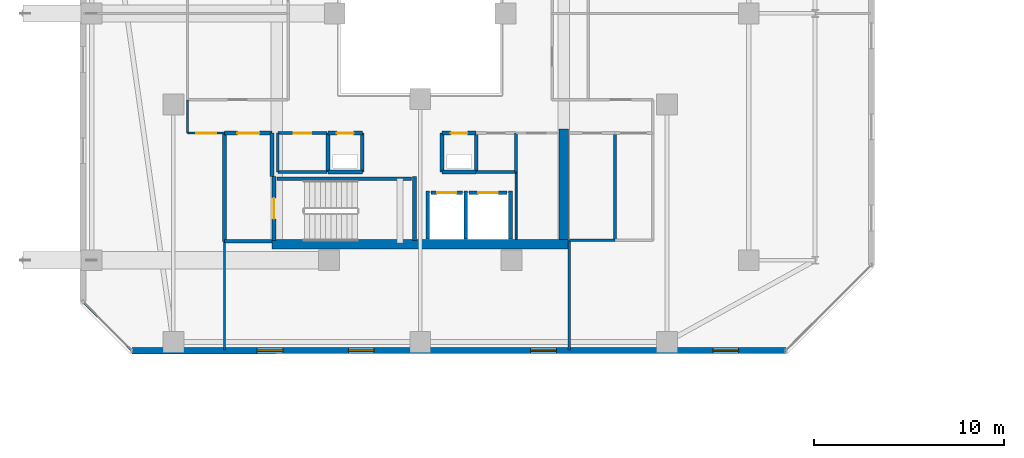
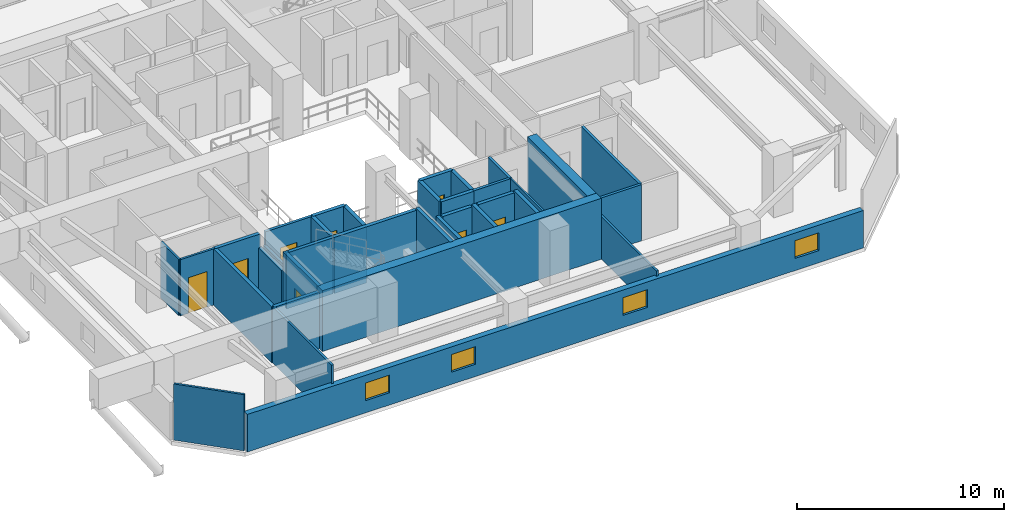
# One storey, part 22 of 36: 36 walls, 8 doors, 4 windows, 12 openings.
"""IFC4 building model written with IfcOpenShell, lengths in metres."""

from ifc_helpers import new_model, si_unit, direction, frame, frame_2d, origin, place, context, subcontext, project, spatial, rectangle, extrude, material, layer, layer_set, type_object, element, fill, save


model = new_model("IFC4")

# Units and contexts
model_context = context("Model", 3, precision=1e-05, world=origin(), true_north=direction((0.0, 1.0)))
body_context = subcontext(model_context, "Body", "Model", "MODEL_VIEW")
ifc_project = project(units=[si_unit("LENGTHUNIT", "METRE"), si_unit("AREAUNIT", "SQUARE_METRE"), si_unit("VOLUMEUNIT", "CUBIC_METRE"), si_unit("PLANEANGLEUNIT", "RADIAN"), si_unit("MASSUNIT", "GRAM", prefix="KILO")], contexts=[model_context])

# Site, building, storey
site_placement = place(None, origin())
site = spatial("IfcSite", under=ifc_project, at=site_placement, CompositionType="ELEMENT")
building_placement = place(site_placement, origin())
building = spatial("IfcBuilding", under=site, at=building_placement, Name="Thornwick Lancets Civic Towers", CompositionType="ELEMENT")
storey_placement = place(building_placement, frame((0.0, 0.0, 196.5)))
storey = spatial("IfcBuildingStorey", under=building, at=storey_placement, Name="L52", CompositionType="ELEMENT", Elevation=196.5)

# Wall, opening, door
ifc_material_1 = material(Name="Concrete blockwork C40/50", Category="masonry")
ifc_layer_1 = layer(ifc_material_1, 0.199951171875, Name="Concrete blockwork C40/50")
ifc_layer_set_1 = layer_set([ifc_layer_1], Name="Concrete blockwork C40/50")
wall_type_1 = type_object("IfcWallType", Name="WALL_COMP_200", PredefinedType="STANDARD", material=ifc_layer_set_1)
wall_1_placement = place(storey_placement, frame((26.080078125, 17.550048828125, 0.0), z_axis=(0.0, 0.0, 1.0), x_axis=(1.0, 0.0, 0.0)))
wall_1 = element("IfcWall", 1, at=wall_1_placement, inside=storey, type_object=wall_type_1, Name="L52 Hoistway Front Wall FL-A1", PredefinedType="STANDARD", context=body_context, shape_type="SweptSolid", body=[
    extrude(rectangle(XDim=1.639892578125, YDim=0.199951171875, at=frame_2d((0.81982421875, 0.0))), origin(), (0.0, 0.0, 1.0), 3.320068359375),
])
opening_1_placement = place(wall_1_placement, frame((0.31005859375, 0.0, 0.0)))
opening_1 = element("IfcOpeningElement", 2, at=opening_1_placement, cuts=wall_1, Name="Opening LD-FL-A1", PredefinedType="OPENING", context=body_context, shape_type="SweptSolid", body=[
    extrude(rectangle(XDim=1.02001953125, YDim=2.06005859375, at=frame_2d((0.510009765625, 1.030029296875))), frame((0.0, 0.10986328125, 0.0), z_axis=(0.0, -1.0, 0.0), x_axis=(1.0, 0.0, 0.0)), (0.0, 0.0, 1.0), 0.219970703125),
])
ifc_material_2 = material(Name="Brushed bronze stainless steel", Category="steel")
door_type_1 = type_object("IfcDoorType", Name="DOOR_LIFT_SLIDE", OperationType="SLIDING_TO_LEFT", PredefinedType="DOOR", material=ifc_material_2)
door_1_placement = place(opening_1_placement, origin())
door_1 = element("IfcDoor", 3, at=door_1_placement, inside=storey, type_object=door_type_1, Name="L52 Sliding Lift Landing Door LD-FL-A1", OperationType="SLIDING_TO_LEFT", OverallHeight=2.06005859375, OverallWidth=1.02001953125, PredefinedType="DOOR", context=body_context, shape_type="SweptSolid", body=[
    extrude(rectangle(XDim=1.02001953125, YDim=2.06005859375, at=frame_2d((0.510009765625, 1.030029296875))), frame((0.0, 0.02490234375, 0.0), z_axis=(0.0, -1.0, 0.0), x_axis=(1.0, 0.0, 0.0)), (0.0, 0.0, 1.0), 0.050048828125),
])
fill(opening_1, door_1)

wall_2_placement = place(storey_placement, frame((28.080078125, 17.550048828125, 0.0), z_axis=(0.0, 0.0, 1.0), x_axis=(1.0, 0.0, 0.0)))
wall_2 = element("IfcWall", 4, at=wall_2_placement, inside=storey, type_object=wall_type_1, Name="L52 Hoistway Front Wall PL-AH1", PredefinedType="STANDARD", context=body_context, shape_type="SweptSolid", body=[
    extrude(rectangle(XDim=1.989990234375, YDim=0.199951171875, at=frame_2d((0.9951171875, 0.0))), origin(), (0.0, 0.0, 1.0), 3.320068359375),
])
opening_2_placement = place(wall_2_placement, frame((0.485107421875, 0.0, 0.0)))
opening_2 = element("IfcOpeningElement", 5, at=opening_2_placement, cuts=wall_2, Name="Opening LD-PL-AH1", PredefinedType="OPENING", context=body_context, shape_type="SweptSolid", body=[
    extrude(rectangle(XDim=1.02001953125, YDim=2.06005859375, at=frame_2d((0.510009765625, 1.030029296875))), frame((0.0, 0.10986328125, 0.0), z_axis=(0.0, -1.0, 0.0), x_axis=(1.0, 0.0, 0.0)), (0.0, 0.0, 1.0), 0.219970703125),
])
door_2_placement = place(opening_2_placement, origin())
door_2 = element("IfcDoor", 6, at=door_2_placement, inside=storey, type_object=door_type_1, Name="L52 Sliding Lift Landing Door LD-PL-AH1", OperationType="SLIDING_TO_LEFT", OverallHeight=2.06005859375, OverallWidth=1.02001953125, PredefinedType="DOOR", context=body_context, shape_type="SweptSolid", body=[
    extrude(rectangle(XDim=1.02001953125, YDim=2.06005859375, at=frame_2d((0.510009765625, 1.030029296875))), frame((0.0, 0.02490234375, 0.0), z_axis=(0.0, -1.0, 0.0), x_axis=(1.0, 0.0, 0.0)), (0.0, 0.0, 1.0), 0.050048828125),
])
fill(opening_2, door_2)

# Walls
for number, where, z_axis, x_axis, name in (
    (7, (27.89990234375, 15.112060546875, 0.0), (0.0, 0.0, 1.0), (0.0, 1.0, 0.0), "L52 Hoistway Shaft Wall FL-A1 E"),
    (8, (25.89990234375, 15.112060546875, 0.0), (0.0, 0.0, 1.0), (0.0, 1.0, 0.0), "L52 Hoistway Shaft Wall FL-A1 W"),
    (9, (30.25, 15.112060546875, 0.0), (0.0, 0.0, 1.0), (0.0, 1.0, 0.0), "L52 Hoistway Shaft Wall PL-AH1 E"),
):
    element("IfcWall", number, at=place(storey_placement, frame(where, z_axis=z_axis, x_axis=x_axis)), inside=storey, type_object=wall_type_1, Name=name, PredefinedType="STANDARD", context=body_context, shape_type="SweptSolid", body=[
        extrude(rectangle(XDim=2.535888671875, YDim=0.199951171875, at=frame_2d((1.26806640625, 0.0))), origin(), (0.0, 0.0, 1.0), 3.320068359375),
    ])
wall_3_placement = place(storey_placement, frame((15.199951171875, 15.0, 0.0), z_axis=(0.0, 0.0, 1.0), x_axis=(1.0, 0.0, 0.0)))
element("IfcWall", 10, at=wall_3_placement, inside=storey, type_object=wall_type_1, Name="L52 Partition L52-A-FFLOB1 E1", PredefinedType="STANDARD", context=body_context, shape_type="SweptSolid", body=[
    extrude(rectangle(XDim=2.5, YDim=0.199951171875, at=frame_2d((1.25, 0.0))), origin(), (0.0, 0.0, 1.0), 3.320068359375),
])
wall_4_placement = place(storey_placement, frame((17.699951171875, 18.39990234375, 0.0), z_axis=(0.0, 0.0, 1.0), x_axis=(0.0, 1.0, 0.0)))
element("IfcWall", 11, at=wall_4_placement, inside=storey, type_object=wall_type_1, Name="L52 Partition L52-A-FFLOB1 E2", PredefinedType="STANDARD", context=body_context, shape_type="SweptSolid", body=[
    extrude(rectangle(XDim=2.300048828125, YDim=0.199951171875, at=frame_2d((1.14990234375, 0.0))), origin(), (0.0, 0.0, 1.0), 2.52490234375),
])

# Wall, opening, door
wall_5_placement = place(storey_placement, frame((17.699951171875, 20.699951171875, 0.0), z_axis=(0.0, 0.0, 1.0), x_axis=(-1.0, 0.0, 0.0)))
wall_5 = element("IfcWall", 12, at=wall_5_placement, inside=storey, type_object=wall_type_1, Name="L52 Partition L52-A-FFLOB1 E3", PredefinedType="STANDARD", context=body_context, shape_type="SweptSolid", body=[
    extrude(rectangle(XDim=2.5, YDim=0.199951171875, at=frame_2d((1.25, 0.0))), origin(), (0.0, 0.0, 1.0), 3.320068359375),
])
opening_3_placement = place(wall_5_placement, frame((0.675048828125, 0.0, 0.0)))
opening_3 = element("IfcOpeningElement", 13, at=opening_3_placement, cuts=wall_5, Name="Opening D-L52-2299", PredefinedType="OPENING", context=body_context, shape_type="SweptSolid", body=[
    extrude(rectangle(XDim=1.14990234375, YDim=2.10009765625, at=frame_2d((0.574951171875, 1.050048828125))), frame((0.0, 0.10986328125, 0.0), z_axis=(0.0, -1.0, 0.0), x_axis=(1.0, 0.0, 0.0)), (0.0, 0.0, 1.0), 0.219970703125),
])
ifc_material_3 = material(Name="Glazed fire-resisting steel", Category="steel")
door_type_2 = type_object("IfcDoorType", Name="DOOR_LOBBY_FD60", OperationType="NOTDEFINED", PredefinedType="DOOR", material=ifc_material_3)
door_3_placement = place(opening_3_placement, origin())
door_3 = element("IfcDoor", 14, at=door_3_placement, inside=storey, type_object=door_type_2, Name="L52 South Firefighting Lobby 1 Door", OperationType="SINGLE_SWING_RIGHT", OverallHeight=2.10009765625, OverallWidth=1.14990234375, PredefinedType="DOOR", context=body_context, shape_type="SweptSolid", body=[
    extrude(rectangle(XDim=1.14990234375, YDim=2.10009765625, at=frame_2d((0.574951171875, 1.050048828125))), frame((0.0, 0.02490234375, 0.0), z_axis=(0.0, -1.0, 0.0), x_axis=(1.0, 0.0, 0.0)), (0.0, 0.0, 1.0), 0.050048828125),
])
fill(opening_3, door_3)

# Walls
wall_6_placement = place(storey_placement, frame((15.199951171875, 20.699951171875, 0.0), z_axis=(0.0, 0.0, 1.0), x_axis=(0.0, -1.0, 0.0)))
element("IfcWall", 15, at=wall_6_placement, inside=storey, type_object=wall_type_1, Name="L52 Partition L52-A-FFLOB1 E4", PredefinedType="STANDARD", context=body_context, shape_type="SweptSolid", body=[
    extrude(rectangle(XDim=5.699951171875, YDim=0.199951171875, at=frame_2d((2.85009765625, 0.0))), origin(), (0.0, 0.0, 1.0), 3.320068359375),
])
wall_7_placement = place(storey_placement, frame((26.64990234375, 18.64990234375, 0.0), z_axis=(0.0, 0.0, 1.0), x_axis=(1.0, 0.0, 0.0)))
element("IfcWall", 16, at=wall_7_placement, inside=storey, type_object=wall_type_1, Name="L52 Partition L52-A-DUCT1 E1", PredefinedType="STANDARD", context=body_context, shape_type="SweptSolid", body=[
    extrude(rectangle(XDim=1.800048828125, YDim=0.199951171875, at=frame_2d((0.89990234375, 0.0))), origin(), (0.0, 0.0, 1.0), 3.320068359375),
])
wall_8_placement = place(storey_placement, frame((28.449951171875, 18.64990234375, 0.0), z_axis=(0.0, 0.0, 1.0), x_axis=(0.0, 1.0, 0.0)))
element("IfcWall", 17, at=wall_8_placement, inside=storey, type_object=wall_type_1, Name="L52 Partition L52-A-DUCT1 E2", PredefinedType="STANDARD", context=body_context, shape_type="SweptSolid", body=[
    extrude(rectangle(XDim=2.050048828125, YDim=0.199951171875, at=frame_2d((1.02490234375, 0.0))), origin(), (0.0, 0.0, 1.0), 3.320068359375),
])

# Wall, opening, door
wall_9_placement = place(storey_placement, frame((28.449951171875, 20.699951171875, 0.0), z_axis=(0.0, 0.0, 1.0), x_axis=(-1.0, 0.0, 0.0)))
wall_9 = element("IfcWall", 18, at=wall_9_placement, inside=storey, type_object=wall_type_1, Name="L52 Partition L52-A-DUCT1 E3", PredefinedType="STANDARD", context=body_context, shape_type="SweptSolid", body=[
    extrude(rectangle(XDim=1.800048828125, YDim=0.199951171875, at=frame_2d((0.89990234375, 0.0))), origin(), (0.0, 0.0, 1.0), 3.320068359375),
])
opening_4_placement = place(wall_9_placement, frame((0.4599609375, 0.0, 0.0)))
opening_4 = element("IfcOpeningElement", 19, at=opening_4_placement, cuts=wall_9, Name="Opening D-L52-2301", PredefinedType="OPENING", context=body_context, shape_type="SweptSolid", body=[
    extrude(rectangle(XDim=0.8798828125, YDim=2.0400390625, at=frame_2d((0.43994140625, 1.02001953125))), frame((0.0, 0.10986328125, 0.0), z_axis=(0.0, -1.0, 0.0), x_axis=(1.0, 0.0, 0.0)), (0.0, 0.0, 1.0), 0.219970703125),
])
ifc_material_4 = material(Name="Steel riser access doorset", Category="steel")
door_type_3 = type_object("IfcDoorType", Name="DOOR_RISER_850", OperationType="NOTDEFINED", PredefinedType="DOOR", material=ifc_material_4)
door_4_placement = place(opening_4_placement, origin())
door_4 = element("IfcDoor", 20, at=door_4_placement, inside=storey, type_object=door_type_3, Name="L52 South Service Duct 1 Door", OperationType="SINGLE_SWING_RIGHT", OverallHeight=2.0400390625, OverallWidth=0.8798828125, PredefinedType="DOOR", context=body_context, shape_type="SweptSolid", body=[
    extrude(rectangle(XDim=0.8798828125, YDim=2.0400390625, at=frame_2d((0.43994140625, 1.02001953125))), frame((0.0, 0.02490234375, 0.0), z_axis=(0.0, -1.0, 0.0), x_axis=(1.0, 0.0, 0.0)), (0.0, 0.0, 1.0), 0.050048828125),
])
fill(opening_4, door_4)

# Walls
wall_10_placement = place(storey_placement, frame((26.64990234375, 20.699951171875, 0.0), z_axis=(0.0, 0.0, 1.0), x_axis=(0.0, -1.0, 0.0)))
element("IfcWall", 21, at=wall_10_placement, inside=storey, type_object=wall_type_1, Name="L52 Partition L52-A-DUCT1 E4", PredefinedType="STANDARD", context=body_context, shape_type="SweptSolid", body=[
    extrude(rectangle(XDim=2.050048828125, YDim=0.199951171875, at=frame_2d((1.02490234375, 0.0))), origin(), (0.0, 0.0, 1.0), 3.320068359375),
])
wall_11_placement = place(storey_placement, frame((20.64990234375, 18.64990234375, 0.0), z_axis=(0.0, 0.0, 1.0), x_axis=(1.0, 0.0, 0.0)))
element("IfcWall", 22, at=wall_11_placement, inside=storey, type_object=wall_type_1, Name="L52 Partition L52-A-RISER1 E1", PredefinedType="STANDARD", context=body_context, shape_type="SweptSolid", body=[
    extrude(rectangle(XDim=1.800048828125, YDim=0.199951171875, at=frame_2d((0.89990234375, 0.0))), origin(), (0.0, 0.0, 1.0), 3.320068359375),
])
wall_12_placement = place(storey_placement, frame((22.449951171875, 18.64990234375, 0.0), z_axis=(0.0, 0.0, 1.0), x_axis=(0.0, 1.0, 0.0)))
element("IfcWall", 23, at=wall_12_placement, inside=storey, type_object=wall_type_1, Name="L52 Partition L52-A-RISER1 E2", PredefinedType="STANDARD", context=body_context, shape_type="SweptSolid", body=[
    extrude(rectangle(XDim=2.050048828125, YDim=0.199951171875, at=frame_2d((1.02490234375, 0.0))), origin(), (0.0, 0.0, 1.0), 3.320068359375),
])

# Wall, opening, door
wall_13_placement = place(storey_placement, frame((22.449951171875, 20.699951171875, 0.0), z_axis=(0.0, 0.0, 1.0), x_axis=(-1.0, 0.0, 0.0)))
wall_13 = element("IfcWall", 24, at=wall_13_placement, inside=storey, type_object=wall_type_1, Name="L52 Partition L52-A-RISER1 E3", PredefinedType="STANDARD", context=body_context, shape_type="SweptSolid", body=[
    extrude(rectangle(XDim=1.800048828125, YDim=0.199951171875, at=frame_2d((0.89990234375, 0.0))), origin(), (0.0, 0.0, 1.0), 3.320068359375),
])
opening_5_placement = place(wall_13_placement, frame((0.4599609375, 0.0, 0.0)))
opening_5 = element("IfcOpeningElement", 25, at=opening_5_placement, cuts=wall_13, Name="Opening D-L52-2302", PredefinedType="OPENING", context=body_context, shape_type="SweptSolid", body=[
    extrude(rectangle(XDim=0.8798828125, YDim=2.0400390625, at=frame_2d((0.43994140625, 1.02001953125))), frame((0.0, 0.10986328125, 0.0), z_axis=(0.0, -1.0, 0.0), x_axis=(1.0, 0.0, 0.0)), (0.0, 0.0, 1.0), 0.219970703125),
])
door_5_placement = place(opening_5_placement, origin())
door_5 = element("IfcDoor", 26, at=door_5_placement, inside=storey, type_object=door_type_3, Name="L52 South Electrical Riser 1 Door", OperationType="SINGLE_SWING_LEFT", OverallHeight=2.0400390625, OverallWidth=0.8798828125, PredefinedType="DOOR", context=body_context, shape_type="SweptSolid", body=[
    extrude(rectangle(XDim=0.8798828125, YDim=2.0400390625, at=frame_2d((0.43994140625, 1.02001953125))), frame((0.0, 0.02490234375, 0.0), z_axis=(0.0, -1.0, 0.0), x_axis=(1.0, 0.0, 0.0)), (0.0, 0.0, 1.0), 0.050048828125),
])
fill(opening_5, door_5)

# Walls
wall_14_placement = place(storey_placement, frame((20.64990234375, 20.699951171875, 0.0), z_axis=(0.0, 0.0, 1.0), x_axis=(0.0, -1.0, 0.0)))
element("IfcWall", 27, at=wall_14_placement, inside=storey, type_object=wall_type_1, Name="L52 Partition L52-A-RISER1 E4", PredefinedType="STANDARD", context=body_context, shape_type="SweptSolid", body=[
    extrude(rectangle(XDim=2.050048828125, YDim=0.199951171875, at=frame_2d((1.02490234375, 0.0))), origin(), (0.0, 0.0, 1.0), 3.320068359375),
])
ifc_material_5 = material(Name="Concrete C50/60", Category="concrete")
ifc_layer_2 = layer(ifc_material_5, 0.5, Name="Concrete C50/60")
ifc_layer_set_2 = layer_set([ifc_layer_2], Name="Concrete C50/60")
wall_type_2 = type_object("IfcWallType", Name="WALL_CORE_500", PredefinedType="SHEAR", material=ifc_layer_set_2)
wall_15_placement = place(storey_placement, frame((17.699951171875, 14.85009765625, 0.0), z_axis=(0.0, 0.0, 1.0), x_axis=(1.0, 0.0, 0.0)))
element("IfcWall", 28, at=wall_15_placement, inside=storey, type_object=wall_type_2, Name="L52 Split Core A1 Shear Wall S", PredefinedType="SHEAR", context=body_context, shape_type="SweptSolid", body=[
    extrude(rectangle(XDim=15.60009765625, YDim=0.5, at=frame_2d((7.800048828125, 0.0))), origin(), (0.0, 0.0, 1.0), 3.60009765625),
])
wall_16_placement = place(storey_placement, frame((33.050048828125, 15.10009765625, 0.0), z_axis=(0.0, 0.0, 1.0), x_axis=(0.0, 1.0, 0.0)))
element("IfcWall", 29, at=wall_16_placement, inside=storey, type_object=wall_type_2, Name="L52 Split Core A1 Shear Wall E", PredefinedType="SHEAR", context=body_context, shape_type="SweptSolid", body=[
    extrude(rectangle(XDim=5.7998046875, YDim=0.5, at=frame_2d((2.89990234375, 0.0))), origin(), (0.0, 0.0, 1.0), 3.60009765625),
])

# Wall, openings, windows
ifc_material_6 = material(Name="Insulated buff terracotta rainscreen on concrete C40/50", Category="masonry")
ifc_layer_3 = layer(ifc_material_6, 0.320068359375, Name="Insulated buff terracotta rainscreen on concrete C40/50")
ifc_layer_set_3 = layer_set([ifc_layer_3], Name="Insulated buff terracotta rainscreen on concrete C40/50")
wall_type_3 = type_object("IfcWallType", Name="WALL_EXT_TERRA_320", PredefinedType="STANDARD", material=ifc_layer_set_3)
wall_17_placement = place(storey_placement, frame((10.318603515625, 9.2353515625, 0.0), z_axis=(0.0, 0.0, 1.0), x_axis=(0.999999983007, 0.000184351399, 0.0)))
wall_17 = element("IfcWall", 30, at=wall_17_placement, inside=storey, type_object=wall_type_3, Name="L52 Tower A Terracotta Facade Wall E0", PredefinedType="STANDARD", context=body_context, shape_type="SweptSolid", body=[
    extrude(rectangle(XDim=34.432373046875, YDim=0.320068359375, at=frame_2d((17.21630859375, 0.0))), origin(), (0.0, 0.0, 1.0), 2.219970703125),
])
opening_6_placement = place(wall_17_placement, frame((6.60009765625, 0.0, 0.719970703125)))
opening_6 = element("IfcOpeningElement", 31, at=opening_6_placement, cuts=wall_17, Name="Opening WL-03", PredefinedType="OPENING", context=body_context, shape_type="SweptSolid", body=[
    extrude(rectangle(XDim=1.35009765625, YDim=1.050048828125, at=frame_2d((0.675048828125, 0.52490234375))), frame((0.0, 0.169921875, 0.0), z_axis=(0.0, -1.0, 0.0), x_axis=(1.0, 0.0, 0.0)), (0.0, 0.0, 1.0), 0.340087890625),
])
opening_7_placement = place(wall_17_placement, frame((11.39990234375, 0.0, 0.719970703125)))
opening_7 = element("IfcOpeningElement", 32, at=opening_7_placement, cuts=wall_17, Name="Opening WL-03", PredefinedType="OPENING", context=body_context, shape_type="SweptSolid", body=[
    extrude(rectangle(XDim=1.35009765625, YDim=1.050048828125, at=frame_2d((0.675048828125, 0.52490234375))), frame((0.0, 0.169921875, 0.0), z_axis=(0.0, -1.0, 0.0), x_axis=(1.0, 0.0, 0.0)), (0.0, 0.0, 1.0), 0.340087890625),
])
opening_8_placement = place(wall_17_placement, frame((21.0, 0.0, 0.719970703125)))
opening_8 = element("IfcOpeningElement", 33, at=opening_8_placement, cuts=wall_17, Name="Opening WL-03", PredefinedType="OPENING", context=body_context, shape_type="SweptSolid", body=[
    extrude(rectangle(XDim=1.35009765625, YDim=1.050048828125, at=frame_2d((0.675048828125, 0.52490234375))), frame((0.0, 0.169921875, 0.0), z_axis=(0.0, -1.0, 0.0), x_axis=(1.0, 0.0, 0.0)), (0.0, 0.0, 1.0), 0.340087890625),
])
opening_9_placement = place(wall_17_placement, frame((30.60009765625, 0.0, 0.719970703125)))
opening_9 = element("IfcOpeningElement", 34, at=opening_9_placement, cuts=wall_17, Name="Opening WL-03", PredefinedType="OPENING", context=body_context, shape_type="SweptSolid", body=[
    extrude(rectangle(XDim=1.35009765625, YDim=1.050048828125, at=frame_2d((0.675048828125, 0.52490234375))), frame((0.0, 0.169921875, 0.0), z_axis=(0.0, -1.0, 0.0), x_axis=(1.0, 0.0, 0.0)), (0.0, 0.0, 1.0), 0.340087890625),
])
ifc_material_7 = material(Name="Clear low-e double glazing clerestory lancet", Category="glass")
window_type = type_object("IfcWindowType", Name="WIN_LANCET_1350", PartitioningType="SINGLE_PANEL", PredefinedType="WINDOW", material=ifc_material_7)
window_1_placement = place(opening_6_placement, origin())
window_1 = element("IfcWindow", 35, at=window_1_placement, inside=storey, type_object=window_type, Name="L52 Tower A Staggered Lancet Window E0-1", OverallHeight=1.050048828125, OverallWidth=1.35009765625, PartitioningType="SINGLE_PANEL", PredefinedType="WINDOW", context=body_context, shape_type="SweptSolid", body=[
    extrude(rectangle(XDim=1.35009765625, YDim=1.050048828125, at=frame_2d((0.675048828125, 0.52490234375))), frame((0.0, 0.030029296875, 0.0), z_axis=(0.0, -1.0, 0.0), x_axis=(1.0, 0.0, 0.0)), (0.0, 0.0, 1.0), 0.06005859375),
])
fill(opening_6, window_1)
window_2_placement = place(opening_7_placement, origin())
window_2 = element("IfcWindow", 36, at=window_2_placement, inside=storey, type_object=window_type, Name="L52 Tower A Staggered Lancet Window E0-2", OverallHeight=1.050048828125, OverallWidth=1.35009765625, PartitioningType="SINGLE_PANEL", PredefinedType="WINDOW", context=body_context, shape_type="SweptSolid", body=[
    extrude(rectangle(XDim=1.35009765625, YDim=1.050048828125, at=frame_2d((0.675048828125, 0.52490234375))), frame((0.0, 0.030029296875, 0.0), z_axis=(0.0, -1.0, 0.0), x_axis=(1.0, 0.0, 0.0)), (0.0, 0.0, 1.0), 0.06005859375),
])
fill(opening_7, window_2)
window_3_placement = place(opening_8_placement, origin())
window_3 = element("IfcWindow", 37, at=window_3_placement, inside=storey, type_object=window_type, Name="L52 Tower A Staggered Lancet Window E0-3", OverallHeight=1.050048828125, OverallWidth=1.35009765625, PartitioningType="SINGLE_PANEL", PredefinedType="WINDOW", context=body_context, shape_type="SweptSolid", body=[
    extrude(rectangle(XDim=1.35009765625, YDim=1.050048828125, at=frame_2d((0.675048828125, 0.52490234375))), frame((0.0, 0.030029296875, 0.0), z_axis=(0.0, -1.0, 0.0), x_axis=(1.0, 0.0, 0.0)), (0.0, 0.0, 1.0), 0.06005859375),
])
fill(opening_8, window_3)
window_4_placement = place(opening_9_placement, origin())
window_4 = element("IfcWindow", 38, at=window_4_placement, inside=storey, type_object=window_type, Name="L52 Tower A Staggered Lancet Window E0-4", OverallHeight=1.050048828125, OverallWidth=1.35009765625, PartitioningType="SINGLE_PANEL", PredefinedType="WINDOW", context=body_context, shape_type="SweptSolid", body=[
    extrude(rectangle(XDim=1.35009765625, YDim=1.050048828125, at=frame_2d((0.675048828125, 0.52490234375))), frame((0.0, 0.030029296875, 0.0), z_axis=(0.0, -1.0, 0.0), x_axis=(1.0, 0.0, 0.0)), (0.0, 0.0, 1.0), 0.06005859375),
])
fill(opening_9, window_4)

# Walls
ifc_material_8 = material(Name="Lightweight cellular office partition")
ifc_layer_4 = layer(ifc_material_8, 0.10009765625, Name="Lightweight cellular office partition")
ifc_layer_set_4 = layer_set([ifc_layer_4], Name="Lightweight cellular office partition")
wall_type_4 = type_object("IfcWallType", Name="WALL_PART_100", PredefinedType="PARTITIONING", material=ifc_layer_set_4)
wall_18_placement = place(storey_placement, frame((30.550048828125, 15.10009765625, 0.0), z_axis=(0.0, 0.0, 1.0), x_axis=(0.0, 1.0, 0.0)))
element("IfcWall", 39, at=wall_18_placement, inside=storey, type_object=wall_type_4, Name="L52 Partition L52-A-CLN E3", PredefinedType="PARTITIONING", context=body_context, shape_type="SweptSolid", body=[
    extrude(rectangle(XDim=3.5498046875, YDim=0.10009765625, at=frame_2d((1.77490234375, 0.0))), origin(), (0.0, 0.0, 1.0), 3.320068359375),
])
ifc_material_9 = material(Name="Acoustic gypsum board partition")
ifc_layer_5 = layer(ifc_material_9, 0.1201171875, Name="Acoustic gypsum board partition")
ifc_layer_set_5 = layer_set([ifc_layer_5], Name="Acoustic gypsum board partition")
wall_type_5 = type_object("IfcWallType", Name="WALL_PART_120", PredefinedType="PARTITIONING", material=ifc_layer_set_5)
wall_19_placement = place(storey_placement, frame((13.25, 22.449951171875, 0.0), z_axis=(0.0, 0.0, 1.0), x_axis=(0.0, -1.0, 0.0)))
element("IfcWall", 40, at=wall_19_placement, inside=storey, type_object=wall_type_5, Name="L52 Partition L52-A-W1 E4", PredefinedType="PARTITIONING", context=body_context, shape_type="SweptSolid", body=[
    extrude(rectangle(XDim=1.75, YDim=0.1201171875, at=frame_2d((0.875, 0.0))), origin(), (0.0, 0.0, 1.0), 3.320068359375),
])

# Wall, opening, door
wall_20_placement = place(storey_placement, frame((13.25, 20.699951171875, 0.0), z_axis=(0.0, 0.0, 1.0), x_axis=(1.0, 0.0, 0.0)))
wall_20 = element("IfcWall", 41, at=wall_20_placement, inside=storey, type_object=wall_type_5, Name="L52 Partition L52-A-W1 E5", PredefinedType="PARTITIONING", context=body_context, shape_type="SweptSolid", body=[
    extrude(rectangle(XDim=1.949951171875, YDim=0.1201171875, at=frame_2d((0.97509765625, 0.0))), origin(), (0.0, 0.0, 1.0), 3.320068359375),
])
opening_10_placement = place(wall_20_placement, frame((0.449951171875, 0.0, 0.0)))
opening_10 = element("IfcOpeningElement", 42, at=opening_10_placement, cuts=wall_20, Name="Opening D-L52-2323", PredefinedType="OPENING", context=body_context, shape_type="SweptSolid", body=[
    extrude(rectangle(XDim=1.050048828125, YDim=2.10009765625, at=frame_2d((0.52490234375, 1.050048828125))), frame((0.0, 0.070068359375, 0.0), z_axis=(0.0, -1.0, 0.0), x_axis=(1.0, 0.0, 0.0)), (0.0, 0.0, 1.0), 0.14013671875),
])
ifc_material_10 = material(Name="Glazed European oak executive doorset")
door_type_4 = type_object("IfcDoorType", Name="DOOR_OFFICE_1050", OperationType="NOTDEFINED", PredefinedType="DOOR", material=ifc_material_10)
door_6_placement = place(opening_10_placement, origin())
door_6 = element("IfcDoor", 43, at=door_6_placement, inside=storey, type_object=door_type_4, Name="L52 Tower A Ministry Directorate Office W1 Door", OperationType="SINGLE_SWING_RIGHT", OverallHeight=2.10009765625, OverallWidth=1.050048828125, PredefinedType="DOOR", context=body_context, shape_type="SweptSolid", body=[
    extrude(rectangle(XDim=1.050048828125, YDim=2.10009765625, at=frame_2d((0.52490234375, 1.050048828125))), frame((0.0, 0.02490234375, 0.0), z_axis=(0.0, -1.0, 0.0), x_axis=(1.0, 0.0, 0.0)), (0.0, 0.0, 1.0), 0.050048828125),
])
fill(opening_10, door_6)

# Walls
wall_21_placement = place(storey_placement, frame((15.199951171875, 15.0, 0.0), z_axis=(0.0, 0.0, 1.0), x_axis=(0.0, -1.0, 0.0)))
element("IfcWall", 44, at=wall_21_placement, inside=storey, type_object=wall_type_5, Name="L52 Partition L52-A-W1 E7", PredefinedType="PARTITIONING", context=body_context, shape_type="SweptSolid", body=[
    extrude(rectangle(XDim=5.719970703125, YDim=0.1201171875, at=frame_2d((2.85986328125, 0.0))), origin(), (0.0, 0.0, 1.0), 3.320068359375),
])
wall_22_placement = place(storey_placement, frame((10.274658203125, 9.280029296875, 0.0), z_axis=(0.0, 0.0, 1.0), x_axis=(-0.707106781187, 0.707106781187, 0.0)))
element("IfcWall", 45, at=wall_22_placement, inside=storey, type_object=wall_type_5, Name="L52 Partition L52-A-W1 E9", PredefinedType="PARTITIONING", context=body_context, shape_type="SweptSolid", body=[
    extrude(rectangle(XDim=3.52783203125, YDim=0.1201171875, at=frame_2d((1.763916015625, 0.0))), origin(), (0.0, 0.0, 1.0), 3.320068359375),
])
wall_23_placement = place(storey_placement, frame((33.35009765625, 9.280029296875, 0.0), z_axis=(0.0, 0.0, 1.0), x_axis=(0.0, 1.0, 0.0)))
element("IfcWall", 46, at=wall_23_placement, inside=storey, type_object=wall_type_5, Name="L52 Partition L52-A-E2 E11", PredefinedType="PARTITIONING", context=body_context, shape_type="SweptSolid", body=[
    extrude(rectangle(XDim=5.77001953125, YDim=0.1201171875, at=frame_2d((2.885009765625, 0.0))), origin(), (0.0, 0.0, 1.0), 2.52490234375),
])
ifc_material_11 = material(Name="Twin-stud acoustic gypsum board")
ifc_layer_6 = layer(ifc_material_11, 0.14990234375, Name="Twin-stud acoustic gypsum board")
ifc_layer_set_6 = layer_set([ifc_layer_6], Name="Twin-stud acoustic gypsum board")
wall_type_6 = type_object("IfcWallType", Name="WALL_PART_150", PredefinedType="PARTITIONING", material=ifc_layer_set_6)
wall_24_placement = place(storey_placement, frame((18.0, 18.64990234375, 0.0), z_axis=(0.0, 0.0, 1.0), x_axis=(1.0, 0.0, 0.0)))
element("IfcWall", 47, at=wall_24_placement, inside=storey, type_object=wall_type_6, Name="L52 Partition L52-A-AWC E1", PredefinedType="PARTITIONING", context=body_context, shape_type="SweptSolid", body=[
    extrude(rectangle(XDim=2.60009765625, YDim=0.14990234375, at=frame_2d((1.300048828125, 0.0))), origin(), (0.0, 0.0, 1.0), 3.320068359375),
])

# Wall, opening, door
wall_25_placement = place(storey_placement, frame((20.60009765625, 20.699951171875, 0.0), z_axis=(0.0, 0.0, 1.0), x_axis=(-1.0, 0.0, 0.0)))
wall_25 = element("IfcWall", 48, at=wall_25_placement, inside=storey, type_object=wall_type_6, Name="L52 Partition L52-A-AWC E3", PredefinedType="PARTITIONING", context=body_context, shape_type="SweptSolid", body=[
    extrude(rectangle(XDim=2.60009765625, YDim=0.14990234375, at=frame_2d((1.300048828125, 0.0))), origin(), (0.0, 0.0, 1.0), 3.320068359375),
])
opening_11_placement = place(wall_25_placement, frame((0.840087890625, 0.0, 0.0)))
opening_11 = element("IfcOpeningElement", 49, at=opening_11_placement, cuts=wall_25, Name="Opening D-L52-2305", PredefinedType="OPENING", context=body_context, shape_type="SweptSolid", body=[
    extrude(rectangle(XDim=0.919921875, YDim=2.080078125, at=frame_2d((0.4599609375, 1.0400390625))), frame((0.0, 0.0849609375, 0.0), z_axis=(0.0, -1.0, 0.0), x_axis=(1.0, 0.0, 0.0)), (0.0, 0.0, 1.0), 0.169921875),
])
ifc_material_12 = material(Name="Moisture-resistant oak doorset")
door_type_5 = type_object("IfcDoorType", Name="DOOR_WC_900", OperationType="NOTDEFINED", PredefinedType="DOOR", material=ifc_material_12)
door_7_placement = place(opening_11_placement, origin())
door_7 = element("IfcDoor", 50, at=door_7_placement, inside=storey, type_object=door_type_5, Name="L52 Tower A Accessible WC Door", OperationType="SINGLE_SWING_RIGHT", OverallHeight=2.080078125, OverallWidth=0.919921875, PredefinedType="DOOR", context=body_context, shape_type="SweptSolid", body=[
    extrude(rectangle(XDim=0.919921875, YDim=2.080078125, at=frame_2d((0.4599609375, 1.0400390625))), frame((0.0, 0.02490234375, 0.0), z_axis=(0.0, -1.0, 0.0), x_axis=(1.0, 0.0, 0.0)), (0.0, 0.0, 1.0), 0.050048828125),
])
fill(opening_11, door_7)

# Walls
wall_26_placement = place(storey_placement, frame((18.0, 20.699951171875, 0.0), z_axis=(0.0, 0.0, 1.0), x_axis=(0.0, -1.0, 0.0)))
element("IfcWall", 51, at=wall_26_placement, inside=storey, type_object=wall_type_6, Name="L52 Partition L52-A-AWC E4", PredefinedType="PARTITIONING", context=body_context, shape_type="SweptSolid", body=[
    extrude(rectangle(XDim=2.050048828125, YDim=0.14990234375, at=frame_2d((1.02490234375, 0.0))), origin(), (0.0, 0.0, 1.0), 2.52490234375),
])
wall_27_placement = place(storey_placement, frame((30.550048828125, 20.699951171875, 0.0), z_axis=(0.0, 0.0, 1.0), x_axis=(0.0, -1.0, 0.0)))
element("IfcWall", 52, at=wall_27_placement, inside=storey, type_object=wall_type_6, Name="L52 Partition L52-A-MWC E1", PredefinedType="PARTITIONING", context=body_context, shape_type="SweptSolid", body=[
    extrude(rectangle(XDim=2.050048828125, YDim=0.14990234375, at=frame_2d((1.02490234375, 0.0))), origin(), (0.0, 0.0, 1.0), 3.320068359375),
])
wall_28_placement = place(storey_placement, frame((30.550048828125, 18.64990234375, 0.0), z_axis=(0.0, 0.0, 1.0), x_axis=(-1.0, 0.0, 0.0)))
element("IfcWall", 53, at=wall_28_placement, inside=storey, type_object=wall_type_6, Name="L52 Partition L52-A-MWC E2", PredefinedType="PARTITIONING", context=body_context, shape_type="SweptSolid", body=[
    extrude(rectangle(XDim=2.10009765625, YDim=0.14990234375, at=frame_2d((1.050048828125, 0.0))), origin(), (0.0, 0.0, 1.0), 3.320068359375),
])
wall_29_placement = place(storey_placement, frame((35.75, 15.050048828125, 0.0), z_axis=(0.0, 0.0, 1.0), x_axis=(-1.0, 0.0, 0.0)))
element("IfcWall", 54, at=wall_29_placement, inside=storey, type_object=wall_type_6, Name="L52 Partition L52-A-RECLAIM-L1 E1", PredefinedType="PARTITIONING", context=body_context, shape_type="SweptSolid", body=[
    extrude(rectangle(XDim=2.39990234375, YDim=0.14990234375, at=frame_2d((1.199951171875, 0.0))), origin(), (0.0, 0.0, 1.0), 3.320068359375),
])
wall_30_placement = place(storey_placement, frame((35.75, 20.699951171875, 0.0), z_axis=(0.0, 0.0, 1.0), x_axis=(0.0, -1.0, 0.0)))
element("IfcWall", 55, at=wall_30_placement, inside=storey, type_object=wall_type_6, Name="L52 Partition L52-A-RECLAIM-L1 E4", PredefinedType="PARTITIONING", context=body_context, shape_type="SweptSolid", body=[
    extrude(rectangle(XDim=5.64990234375, YDim=0.14990234375, at=frame_2d((2.824951171875, 0.0))), origin(), (0.0, 0.0, 1.0), 3.320068359375),
])

# Wall, opening, door
ifc_material_13 = material(Name="Concrete C40/50", Category="concrete")
ifc_layer_7 = layer(ifc_material_13, 0.199951171875, Name="Concrete C40/50")
ifc_layer_set_7 = layer_set([ifc_layer_7], Name="Concrete C40/50")
wall_type_7 = type_object("IfcWallType", Name="WALL_SHAFT_200", PredefinedType="SHEAR", material=ifc_layer_set_7)
wall_31_placement = place(storey_placement, frame((17.800048828125, 15.050048828125, 0.0), z_axis=(0.0, 0.0, 1.0), x_axis=(0.0, 1.0, 0.0)))
wall_31 = element("IfcWall", 56, at=wall_31_placement, inside=storey, type_object=wall_type_7, Name="L52 ST-A1 Fire Stair Core Wall NEAR", PredefinedType="SHEAR", context=body_context, shape_type="SweptSolid", body=[
    extrude(rectangle(XDim=3.349853515625, YDim=0.199951171875, at=frame_2d((1.6748046875, 0.0))), origin(), (0.0, 0.0, 1.0), 3.60009765625),
])
opening_12_placement = place(wall_31_placement, frame((1.125, 0.0, 0.0)))
opening_12 = element("IfcOpeningElement", 57, at=opening_12_placement, cuts=wall_31, Name="Opening D-ST-A1-L52", PredefinedType="OPENING", context=body_context, shape_type="SweptSolid", body=[
    extrude(rectangle(XDim=1.10009765625, YDim=2.10009765625, at=frame_2d((0.550048828125, 1.050048828125))), frame((0.0, 0.10986328125, 0.0), z_axis=(0.0, -1.0, 0.0), x_axis=(1.0, 0.0, 0.0)), (0.0, 0.0, 1.0), 0.219970703125),
])
ifc_material_14 = material(Name="Fire-resisting steel and hardwood", Category="steel")
door_type_6 = type_object("IfcDoorType", Name="DOOR_STAIR_FD60", OperationType="NOTDEFINED", PredefinedType="DOOR", material=ifc_material_14)
door_8_placement = place(opening_12_placement, origin())
door_8 = element("IfcDoor", 58, at=door_8_placement, inside=storey, type_object=door_type_6, Name="L52 ST-A1 Exit Stair Door", OperationType="SINGLE_SWING_RIGHT", OverallHeight=2.10009765625, OverallWidth=1.10009765625, PredefinedType="DOOR", context=body_context, shape_type="SweptSolid", body=[
    extrude(rectangle(XDim=1.10009765625, YDim=2.10009765625, at=frame_2d((0.550048828125, 1.050048828125))), frame((0.0, 0.02490234375, 0.0), z_axis=(0.0, -1.0, 0.0), x_axis=(1.0, 0.0, 0.0)), (0.0, 0.0, 1.0), 0.050048828125),
])
fill(opening_12, door_8)

# Walls
wall_32_placement = place(storey_placement, frame((25.199951171875, 18.39990234375, 0.0), z_axis=(0.0, 0.0, 1.0), x_axis=(0.0, -1.0, 0.0)))
element("IfcWall", 59, at=wall_32_placement, inside=storey, type_object=wall_type_7, Name="L52 ST-A1 Fire Stair Core Wall FAR", PredefinedType="SHEAR", context=body_context, shape_type="SweptSolid", body=[
    extrude(rectangle(XDim=3.349853515625, YDim=0.199951171875, at=frame_2d((1.6748046875, 0.0))), origin(), (0.0, 0.0, 1.0), 3.60009765625),
])
wall_33_placement = place(storey_placement, frame((25.050048828125, 18.297119140625, 0.0), z_axis=(0.0, 0.0, 1.0), x_axis=(-1.0, 0.0, 0.0)))
element("IfcWall", 60, at=wall_33_placement, inside=storey, type_object=wall_type_7, Name="L52 ST-A1 Fire Stair Core Wall RIGHT", PredefinedType="SHEAR", context=body_context, shape_type="SweptSolid", body=[
    extrude(rectangle(XDim=7.10009765625, YDim=0.199951171875, at=frame_2d((3.550048828125, 0.0))), origin(), (0.0, 0.0, 1.0), 3.60009765625),
])

save(model, "model.ifc")
